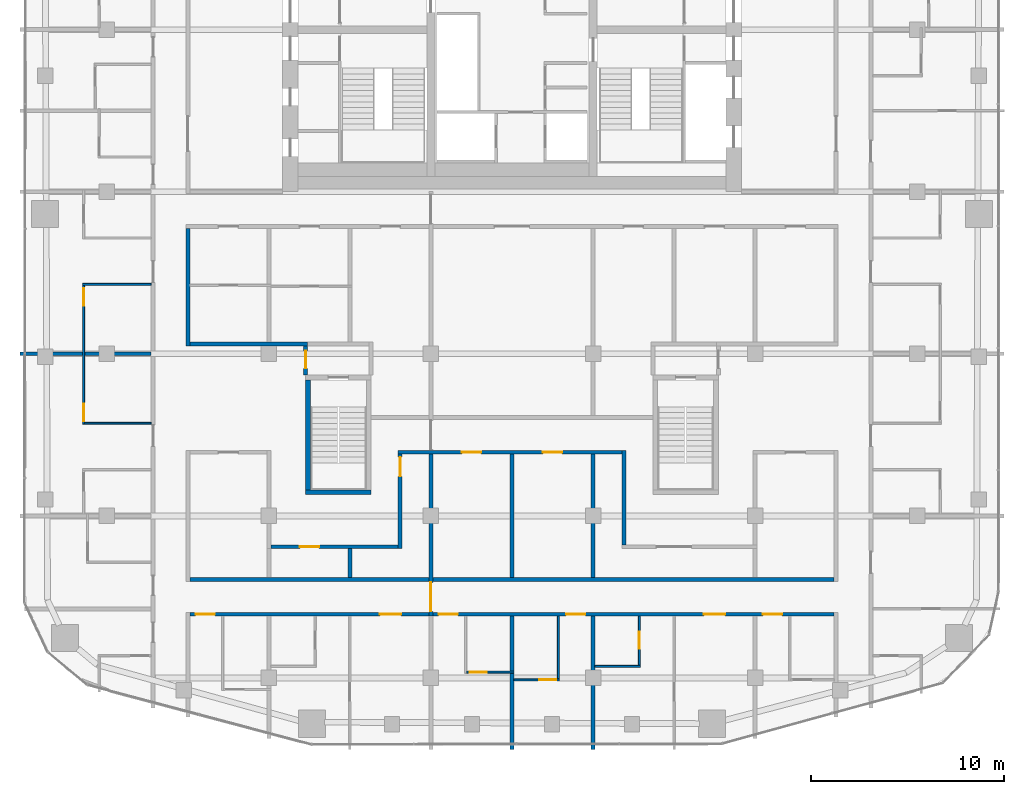
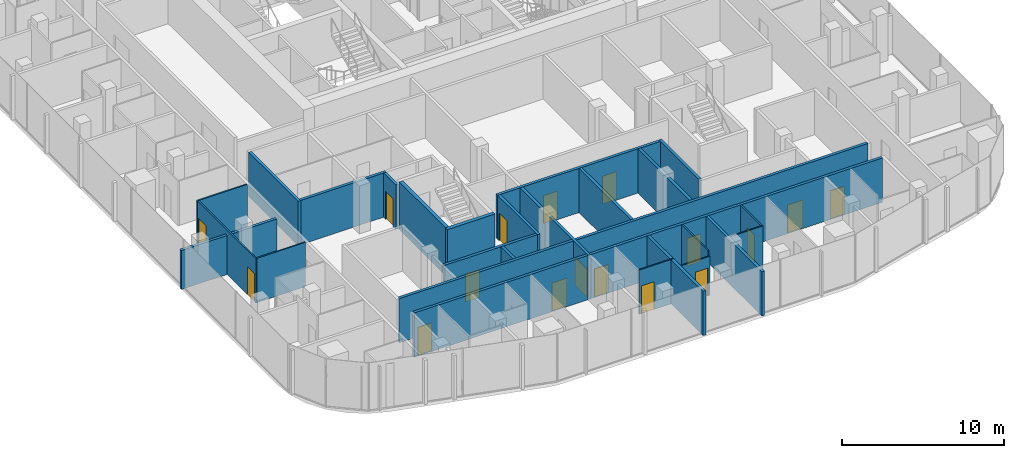
# One storey, part 14 of 22: 26 walls, 17 doors, 17 openings.
"""IFC4 building model written with IfcOpenShell, lengths in metres."""

from ifc_helpers import new_model, si_unit, direction, frame, frame_2d, origin, place, context, subcontext, project, spatial, rectangle, extrude, material, layer, layer_set, type_object, element, fill, save


model = new_model("IFC4")

# Units and contexts
model_context = context("Model", 3, precision=1e-05, world=origin(), true_north=direction((0.0, 1.0)))
body_context = subcontext(model_context, "Body", "Model", "MODEL_VIEW")
ifc_project = project(units=[si_unit("LENGTHUNIT", "METRE"), si_unit("AREAUNIT", "SQUARE_METRE"), si_unit("VOLUMEUNIT", "CUBIC_METRE"), si_unit("PLANEANGLEUNIT", "RADIAN"), si_unit("MASSUNIT", "GRAM", prefix="KILO")], contexts=[model_context])

# Site, building, storey
site_placement = place(None, origin())
site = spatial("IfcSite", under=ifc_project, at=site_placement, CompositionType="ELEMENT")
building_placement = place(site_placement, origin())
building = spatial("IfcBuilding", under=site, at=building_placement, Name="Marenta Gate Hotel Tower", CompositionType="ELEMENT")
storey_placement = place(building_placement, frame((0.0, 0.0, 238.10009765625)))
storey = spatial("IfcBuildingStorey", under=building, at=storey_placement, Name="L56", CompositionType="ELEMENT", Elevation=238.10009765625)

# Wall, opening, door
ifc_material_1 = material(Name="Concrete blockwork", Category="masonry")
ifc_layer_1 = layer(ifc_material_1, 0.199951171875)
ifc_layer_set_1 = layer_set([ifc_layer_1], Name="Concrete blockwork")
wall_type_1 = type_object("IfcWallType", Name="Compartment wall 200 REI 180", PredefinedType="PARTITIONING", material=ifc_layer_set_1)
wall_1_placement = place(storey_placement, frame((-4.199951171875, -22.0, 0.0), z_axis=(0.0, 0.0, 1.0), x_axis=(0.0, 1.0, 0.0)))
wall_1 = element("IfcWall", 1, at=wall_1_placement, inside=storey, type_object=wall_type_1, Name="L56-PTN-W079", PredefinedType="PARTITIONING", context=body_context, shape_type="SweptSolid", body=[
    extrude(rectangle(XDim=8.39990234375, YDim=0.199951171875, at=frame_2d((4.199951171875, 0.0))), origin(), (0.0, 0.0, 1.0), 3.33984375),
])
opening_1_placement = place(wall_1_placement, frame((0.25, 0.0, 0.0)))
opening_1 = element("IfcOpeningElement", 2, at=opening_1_placement, cuts=wall_1, Name="Opening G20-FD4", PredefinedType="OPENING", context=body_context, shape_type="SweptSolid", body=[
    extrude(rectangle(XDim=1.5, YDim=2.10009765625, at=frame_2d((0.75, 1.050048828125))), frame((0.0, 0.10009765625, 0.0), z_axis=(0.0, -1.0, 0.0), x_axis=(1.0, 0.0, 0.0)), (0.0, 0.0, 1.0), 0.199951171875),
])
ifc_material_2 = material(Name="Hollow steel door set", Category="steel")
door_type_1 = type_object("IfcDoorType", Name="Compartment fire door 1500x2100 EI 60", OperationType="DOUBLE_DOOR_DOUBLE_SWING", PredefinedType="DOOR", material=ifc_material_2)
door_1_placement = place(opening_1_placement, origin())
door_1 = element("IfcDoor", 3, at=door_1_placement, inside=storey, type_object=door_type_1, Name="L56-PD-FD04", OperationType="DOUBLE_DOOR_DOUBLE_SWING", OverallHeight=2.10009765625, OverallWidth=1.5, PredefinedType="DOOR", context=body_context, shape_type="SweptSolid", body=[
    extrude(rectangle(XDim=1.5, YDim=2.10009765625, at=frame_2d((0.75, 1.050048828125))), frame((0.0, 0.02490234375, 0.0), z_axis=(0.0, -1.0, 0.0), x_axis=(1.0, 0.0, 0.0)), (0.0, 0.0, 1.0), 0.050048828125),
])
fill(opening_1, door_1)

# Walls
ifc_material_3 = material(Name="Concrete C40", Category="concrete")
ifc_layer_2 = layer(ifc_material_3, 0.25)
ifc_layer_set_2 = layer_set([ifc_layer_2], Name="Concrete C40")
wall_type_2 = type_object("IfcWallType", Name="Remote stair enclosure wall 250 REI 180", PredefinedType="SHEAR", material=ifc_layer_set_2)
wall_2_placement = place(storey_placement, frame((-10.699951171875, -15.574951171875, 0.099853515625), z_axis=(0.0, 0.0, 1.0), x_axis=(1.0, 0.0, 0.0)))
element("IfcWall", 4, at=wall_2_placement, inside=storey, type_object=wall_type_2, Name="L56-RS-Z3-1-W1", PredefinedType="SHEAR", context=body_context, shape_type="SweptSolid", body=[
    extrude(rectangle(XDim=3.39990234375, YDim=0.25, at=frame_2d((1.699951171875, 0.0))), origin(), (0.0, 0.0, 1.0), 3.60009765625),
])
wall_3_placement = place(storey_placement, frame((-10.574951171875, -15.449951171875, 0.099853515625), z_axis=(0.0, 0.0, 1.0), x_axis=(0.0, 1.0, 0.0)))
element("IfcWall", 5, at=wall_3_placement, inside=storey, type_object=wall_type_2, Name="L56-RS-Z3-1-W3", PredefinedType="SHEAR", context=body_context, shape_type="SweptSolid", body=[
    extrude(rectangle(XDim=5.699951171875, YDim=0.25, at=frame_2d((2.85009765625, 0.0))), origin(), (0.0, 0.0, 1.0), 3.60009765625),
])
ifc_material_4 = material(Name="Concrete blockwork", Category="masonry")
ifc_layer_3 = layer(ifc_material_4, 0.199951171875)
ifc_layer_set_3 = layer_set([ifc_layer_3], Name="Concrete blockwork")
wall_type_3 = type_object("IfcWallType", Name="Room corridor wall 200 EI 120", PredefinedType="PARTITIONING", material=ifc_layer_set_3)
wall_4_placement = place(storey_placement, frame((-16.699951171875, -7.89990234375, 0.0), z_axis=(0.0, 0.0, 1.0), x_axis=(1.0, 0.0, 0.0)))
element("IfcWall", 6, at=wall_4_placement, inside=storey, type_object=wall_type_3, Name="L56-PTN-W052", PredefinedType="PARTITIONING", context=body_context, shape_type="SweptSolid", body=[
    extrude(rectangle(XDim=6.099853515625, YDim=0.199951171875, at=frame_2d((3.0498046875, 0.0))), origin(), (0.0, 0.0, 1.0), 3.33984375),
])

# Wall, openings, doors
ifc_material_5 = material(Name="Gypsum board on steel stud", Category="steel")
ifc_layer_4 = layer(ifc_material_5, 0.199951171875)
ifc_layer_set_4 = layer_set([ifc_layer_4], Name="Gypsum board on steel stud")
wall_type_4 = type_object("IfcWallType", Name="Room corridor wall 200 EI 60", PredefinedType="PARTITIONING", material=ifc_layer_set_4)
wall_5_placement = place(storey_placement, frame((-16.699951171875, -21.89990234375, 0.0), z_axis=(0.0, 0.0, 1.0), x_axis=(1.0, 0.0, 0.0)))
wall_5 = element("IfcWall", 7, at=wall_5_placement, inside=storey, type_object=wall_type_4, Name="L56-PTN-W015", PredefinedType="PARTITIONING", context=body_context, shape_type="SweptSolid", body=[
    extrude(rectangle(XDim=33.39990234375, YDim=0.199951171875, at=frame_2d((16.699951171875, 0.0))), origin(), (0.0, 0.0, 1.0), 3.33984375),
])
opening_2_placement = place(wall_5_placement, frame((0.300048828125, 0.0, 0.0)))
opening_2 = element("IfcOpeningElement", 8, at=opening_2_placement, cuts=wall_5, Name="Opening G20-38", PredefinedType="OPENING", context=body_context, shape_type="SweptSolid", body=[
    extrude(rectangle(XDim=1.0, YDim=2.10009765625, at=frame_2d((0.5, 1.050048828125))), frame((0.0, 0.10009765625, 0.0), z_axis=(0.0, -1.0, 0.0), x_axis=(1.0, 0.0, 0.0)), (0.0, 0.0, 1.0), 0.199951171875),
])
opening_3_placement = place(wall_5_placement, frame((9.85009765625, 0.0, 0.0)))
opening_3 = element("IfcOpeningElement", 9, at=opening_3_placement, cuts=wall_5, Name="Opening G20-40", PredefinedType="OPENING", context=body_context, shape_type="SweptSolid", body=[
    extrude(rectangle(XDim=1.10009765625, YDim=2.10009765625, at=frame_2d((0.550048828125, 1.050048828125))), frame((0.0, 0.10009765625, 0.0), z_axis=(0.0, -1.0, 0.0), x_axis=(1.0, 0.0, 0.0)), (0.0, 0.0, 1.0), 0.199951171875),
])
opening_4_placement = place(wall_5_placement, frame((12.89990234375, 0.0, 0.0)))
opening_4 = element("IfcOpeningElement", 10, at=opening_4_placement, cuts=wall_5, Name="Opening G20-43", PredefinedType="OPENING", context=body_context, shape_type="SweptSolid", body=[
    extrude(rectangle(XDim=1.0, YDim=2.10009765625, at=frame_2d((0.5, 1.050048828125))), frame((0.0, 0.10009765625, 0.0), z_axis=(0.0, -1.0, 0.0), x_axis=(1.0, 0.0, 0.0)), (0.0, 0.0, 1.0), 0.199951171875),
])
opening_5_placement = place(wall_5_placement, frame((19.5, 0.0, 0.0)))
opening_5 = element("IfcOpeningElement", 11, at=opening_5_placement, cuts=wall_5, Name="Opening G20-45", PredefinedType="OPENING", context=body_context, shape_type="SweptSolid", body=[
    extrude(rectangle(XDim=1.0, YDim=2.10009765625, at=frame_2d((0.5, 1.050048828125))), frame((0.0, 0.10009765625, 0.0), z_axis=(0.0, -1.0, 0.0), x_axis=(1.0, 0.0, 0.0)), (0.0, 0.0, 1.0), 0.199951171875),
])
opening_6_placement = place(wall_5_placement, frame((26.64990234375, 0.0, 0.0)))
opening_6 = element("IfcOpeningElement", 12, at=opening_6_placement, cuts=wall_5, Name="Opening G20-47", PredefinedType="OPENING", context=body_context, shape_type="SweptSolid", body=[
    extrude(rectangle(XDim=1.10009765625, YDim=2.10009765625, at=frame_2d((0.550048828125, 1.050048828125))), frame((0.0, 0.10009765625, 0.0), z_axis=(0.0, -1.0, 0.0), x_axis=(1.0, 0.0, 0.0)), (0.0, 0.0, 1.0), 0.199951171875),
])
opening_7_placement = place(wall_5_placement, frame((29.699951171875, 0.0, 0.0)))
opening_7 = element("IfcOpeningElement", 13, at=opening_7_placement, cuts=wall_5, Name="Opening G20-50", PredefinedType="OPENING", context=body_context, shape_type="SweptSolid", body=[
    extrude(rectangle(XDim=1.0, YDim=2.10009765625, at=frame_2d((0.5, 1.050048828125))), frame((0.0, 0.10009765625, 0.0), z_axis=(0.0, -1.0, 0.0), x_axis=(1.0, 0.0, 0.0)), (0.0, 0.0, 1.0), 0.199951171875),
])
ifc_material_6 = material(Name="Timber door leaf", Category="wood")
door_type_2 = type_object("IfcDoorType", Name="Guest room door 1000x2100 EI 30", OperationType="NOTDEFINED", PredefinedType="DOOR", material=ifc_material_6)
door_2_placement = place(opening_2_placement, origin())
door_2 = element("IfcDoor", 14, at=door_2_placement, inside=storey, type_object=door_type_2, Name="L56-PD-D038", OperationType="SINGLE_SWING_RIGHT", OverallHeight=2.10009765625, OverallWidth=1.0, PredefinedType="DOOR", context=body_context, shape_type="SweptSolid", body=[
    extrude(rectangle(XDim=1.0, YDim=2.10009765625, at=frame_2d((0.5, 1.050048828125))), frame((0.0, 0.02490234375, 0.0), z_axis=(0.0, -1.0, 0.0), x_axis=(1.0, 0.0, 0.0)), (0.0, 0.0, 1.0), 0.050048828125),
])
fill(opening_2, door_2)
door_3_placement = place(opening_4_placement, origin())
door_3 = element("IfcDoor", 15, at=door_3_placement, inside=storey, type_object=door_type_2, Name="L56-PD-D043", OperationType="SINGLE_SWING_LEFT", OverallHeight=2.10009765625, OverallWidth=1.0, PredefinedType="DOOR", context=body_context, shape_type="SweptSolid", body=[
    extrude(rectangle(XDim=1.0, YDim=2.10009765625, at=frame_2d((0.5, 1.050048828125))), frame((0.0, 0.02490234375, 0.0), z_axis=(0.0, -1.0, 0.0), x_axis=(1.0, 0.0, 0.0)), (0.0, 0.0, 1.0), 0.050048828125),
])
fill(opening_4, door_3)
door_4_placement = place(opening_5_placement, origin())
door_4 = element("IfcDoor", 16, at=door_4_placement, inside=storey, type_object=door_type_2, Name="L56-PD-D045", OperationType="SINGLE_SWING_LEFT", OverallHeight=2.10009765625, OverallWidth=1.0, PredefinedType="DOOR", context=body_context, shape_type="SweptSolid", body=[
    extrude(rectangle(XDim=1.0, YDim=2.10009765625, at=frame_2d((0.5, 1.050048828125))), frame((0.0, 0.02490234375, 0.0), z_axis=(0.0, -1.0, 0.0), x_axis=(1.0, 0.0, 0.0)), (0.0, 0.0, 1.0), 0.050048828125),
])
fill(opening_5, door_4)
door_5_placement = place(opening_7_placement, origin())
door_5 = element("IfcDoor", 17, at=door_5_placement, inside=storey, type_object=door_type_2, Name="L56-PD-D050", OperationType="SINGLE_SWING_RIGHT", OverallHeight=2.10009765625, OverallWidth=1.0, PredefinedType="DOOR", context=body_context, shape_type="SweptSolid", body=[
    extrude(rectangle(XDim=1.0, YDim=2.10009765625, at=frame_2d((0.5, 1.050048828125))), frame((0.0, 0.02490234375, 0.0), z_axis=(0.0, -1.0, 0.0), x_axis=(1.0, 0.0, 0.0)), (0.0, 0.0, 1.0), 0.050048828125),
])
fill(opening_7, door_5)
ifc_material_7 = material(Name="Timber door leaf", Category="wood")
door_type_3 = type_object("IfcDoorType", Name="Guest room door 1100x2100 EI 30", OperationType="NOTDEFINED", PredefinedType="DOOR", material=ifc_material_7)
door_6_placement = place(opening_3_placement, origin())
door_6 = element("IfcDoor", 18, at=door_6_placement, inside=storey, type_object=door_type_3, Name="L56-PD-D040", OperationType="SINGLE_SWING_RIGHT", OverallHeight=2.10009765625, OverallWidth=1.10009765625, PredefinedType="DOOR", context=body_context, shape_type="SweptSolid", body=[
    extrude(rectangle(XDim=1.10009765625, YDim=2.10009765625, at=frame_2d((0.550048828125, 1.050048828125))), frame((0.0, 0.02490234375, 0.0), z_axis=(0.0, -1.0, 0.0), x_axis=(1.0, 0.0, 0.0)), (0.0, 0.0, 1.0), 0.050048828125),
])
fill(opening_3, door_6)
door_7_placement = place(opening_6_placement, origin())
door_7 = element("IfcDoor", 19, at=door_7_placement, inside=storey, type_object=door_type_3, Name="L56-PD-D047", OperationType="SINGLE_SWING_LEFT", OverallHeight=2.10009765625, OverallWidth=1.10009765625, PredefinedType="DOOR", context=body_context, shape_type="SweptSolid", body=[
    extrude(rectangle(XDim=1.10009765625, YDim=2.10009765625, at=frame_2d((0.550048828125, 1.050048828125))), frame((0.0, 0.02490234375, 0.0), z_axis=(0.0, -1.0, 0.0), x_axis=(1.0, 0.0, 0.0)), (0.0, 0.0, 1.0), 0.050048828125),
])
fill(opening_6, door_7)

# Wall
wall_6_placement = place(storey_placement, frame((-16.699951171875, -20.10009765625, 0.0), z_axis=(0.0, 0.0, 1.0), x_axis=(1.0, 0.0, 0.0)))
element("IfcWall", 20, at=wall_6_placement, inside=storey, type_object=wall_type_4, Name="L56-PTN-W021", PredefinedType="PARTITIONING", context=body_context, shape_type="SweptSolid", body=[
    extrude(rectangle(XDim=33.39990234375, YDim=0.199951171875, at=frame_2d((16.699951171875, 0.0))), origin(), (0.0, 0.0, 1.0), 3.33984375),
])

# Wall, opening, door
wall_7_placement = place(storey_placement, frame((-12.5, -18.39990234375, 0.0), z_axis=(0.0, 0.0, 1.0), x_axis=(1.0, 0.0, 0.0)))
wall_7 = element("IfcWall", 21, at=wall_7_placement, inside=storey, type_object=wall_type_4, Name="L56-PTN-W024", PredefinedType="PARTITIONING", context=body_context, shape_type="SweptSolid", body=[
    extrude(rectangle(XDim=6.60009765625, YDim=0.199951171875, at=frame_2d((3.300048828125, 0.0))), origin(), (0.0, 0.0, 1.0), 3.33984375),
])
opening_8_placement = place(wall_7_placement, frame((1.5, 0.0, 0.0)))
opening_8 = element("IfcOpeningElement", 22, at=opening_8_placement, cuts=wall_7, Name="Opening G20-11", PredefinedType="OPENING", context=body_context, shape_type="SweptSolid", body=[
    extrude(rectangle(XDim=1.0, YDim=2.10009765625, at=frame_2d((0.5, 1.050048828125))), frame((0.0, 0.10009765625, 0.0), z_axis=(0.0, -1.0, 0.0), x_axis=(1.0, 0.0, 0.0)), (0.0, 0.0, 1.0), 0.199951171875),
])
ifc_material_8 = material(Name="Timber door leaf", Category="wood")
door_type_4 = type_object("IfcDoorType", Name="Room amenity door 1000x2100 EI 30", OperationType="NOTDEFINED", PredefinedType="DOOR", material=ifc_material_8)
door_8_placement = place(opening_8_placement, origin())
door_8 = element("IfcDoor", 23, at=door_8_placement, inside=storey, type_object=door_type_4, Name="L56-PD-D011", OperationType="SINGLE_SWING_RIGHT", OverallHeight=2.10009765625, OverallWidth=1.0, PredefinedType="DOOR", context=body_context, shape_type="SweptSolid", body=[
    extrude(rectangle(XDim=1.0, YDim=2.10009765625, at=frame_2d((0.5, 1.050048828125))), frame((0.0, 0.02490234375, 0.0), z_axis=(0.0, -1.0, 0.0), x_axis=(1.0, 0.0, 0.0)), (0.0, 0.0, 1.0), 0.050048828125),
])
fill(opening_8, door_8)

# Wall, openings, doors
wall_8_placement = place(storey_placement, frame((-5.89990234375, -13.5, 0.0), z_axis=(0.0, 0.0, 1.0), x_axis=(1.0, 0.0, 0.0)))
wall_8 = element("IfcWall", 24, at=wall_8_placement, inside=storey, type_object=wall_type_4, Name="L56-PTN-W036", PredefinedType="PARTITIONING", context=body_context, shape_type="SweptSolid", body=[
    extrude(rectangle(XDim=11.599853515625, YDim=0.199951171875, at=frame_2d((5.7998046875, 0.0))), origin(), (0.0, 0.0, 1.0), 3.33984375),
])
opening_9_placement = place(wall_8_placement, frame((3.300048828125, 0.0, 0.0)))
opening_9 = element("IfcOpeningElement", 25, at=opening_9_placement, cuts=wall_8, Name="Opening G20-13", PredefinedType="OPENING", context=body_context, shape_type="SweptSolid", body=[
    extrude(rectangle(XDim=1.0, YDim=2.10009765625, at=frame_2d((0.5, 1.050048828125))), frame((0.0, 0.10009765625, 0.0), z_axis=(0.0, -1.0, 0.0), x_axis=(1.0, 0.0, 0.0)), (0.0, 0.0, 1.0), 0.199951171875),
])
opening_10_placement = place(wall_8_placement, frame((7.5, 0.0, 0.0)))
opening_10 = element("IfcOpeningElement", 26, at=opening_10_placement, cuts=wall_8, Name="Opening G20-14", PredefinedType="OPENING", context=body_context, shape_type="SweptSolid", body=[
    extrude(rectangle(XDim=1.0, YDim=2.10009765625, at=frame_2d((0.5, 1.050048828125))), frame((0.0, 0.10009765625, 0.0), z_axis=(0.0, -1.0, 0.0), x_axis=(1.0, 0.0, 0.0)), (0.0, 0.0, 1.0), 0.199951171875),
])
door_9_placement = place(opening_9_placement, origin())
door_9 = element("IfcDoor", 27, at=door_9_placement, inside=storey, type_object=door_type_4, Name="L56-PD-D013", OperationType="SINGLE_SWING_LEFT", OverallHeight=2.10009765625, OverallWidth=1.0, PredefinedType="DOOR", context=body_context, shape_type="SweptSolid", body=[
    extrude(rectangle(XDim=1.0, YDim=2.10009765625, at=frame_2d((0.5, 1.050048828125))), frame((0.0, 0.02490234375, 0.0), z_axis=(0.0, -1.0, 0.0), x_axis=(1.0, 0.0, 0.0)), (0.0, 0.0, 1.0), 0.050048828125),
])
fill(opening_9, door_9)
door_10_placement = place(opening_10_placement, origin())
door_10 = element("IfcDoor", 28, at=door_10_placement, inside=storey, type_object=door_type_4, Name="L56-PD-D014", OperationType="SINGLE_SWING_RIGHT", OverallHeight=2.10009765625, OverallWidth=1.0, PredefinedType="DOOR", context=body_context, shape_type="SweptSolid", body=[
    extrude(rectangle(XDim=1.0, YDim=2.10009765625, at=frame_2d((0.5, 1.050048828125))), frame((0.0, 0.02490234375, 0.0), z_axis=(0.0, -1.0, 0.0), x_axis=(1.0, 0.0, 0.0)), (0.0, 0.0, 1.0), 0.050048828125),
])
fill(opening_10, door_10)

# Wall
wall_9_placement = place(storey_placement, frame((5.800048828125, -18.300048828125, 0.0), z_axis=(0.0, 0.0, 1.0), x_axis=(0.0, 1.0, 0.0)))
element("IfcWall", 29, at=wall_9_placement, inside=storey, type_object=wall_type_4, Name="L56-PTN-W058", PredefinedType="PARTITIONING", context=body_context, shape_type="SweptSolid", body=[
    extrude(rectangle(XDim=4.900146484375, YDim=0.199951171875, at=frame_2d((2.4501953125, 0.0))), origin(), (0.0, 0.0, 1.0), 3.33984375),
])

# Wall, opening, door
wall_10_placement = place(storey_placement, frame((-5.800048828125, -18.5, 0.0), z_axis=(0.0, 0.0, 1.0), x_axis=(0.0, 1.0, 0.0)))
wall_10 = element("IfcWall", 30, at=wall_10_placement, inside=storey, type_object=wall_type_4, Name="L56-PTN-W084", PredefinedType="PARTITIONING", context=body_context, shape_type="SweptSolid", body=[
    extrude(rectangle(XDim=4.89990234375, YDim=0.199951171875, at=frame_2d((2.449951171875, 0.0))), origin(), (0.0, 0.0, 1.0), 3.33984375),
])
opening_11_placement = place(wall_10_placement, frame((3.75, 0.0, 0.0)))
opening_11 = element("IfcOpeningElement", 31, at=opening_11_placement, cuts=wall_10, Name="Opening G20-12", PredefinedType="OPENING", context=body_context, shape_type="SweptSolid", body=[
    extrude(rectangle(XDim=1.0, YDim=2.10009765625, at=frame_2d((0.5, 1.050048828125))), frame((0.0, 0.10009765625, 0.0), z_axis=(0.0, -1.0, 0.0), x_axis=(1.0, 0.0, 0.0)), (0.0, 0.0, 1.0), 0.199951171875),
])
door_11_placement = place(opening_11_placement, origin())
door_11 = element("IfcDoor", 32, at=door_11_placement, inside=storey, type_object=door_type_4, Name="L56-PD-D012", OperationType="SINGLE_SWING_RIGHT", OverallHeight=2.10009765625, OverallWidth=1.0, PredefinedType="DOOR", context=body_context, shape_type="SweptSolid", body=[
    extrude(rectangle(XDim=1.0, YDim=2.10009765625, at=frame_2d((0.5, 1.050048828125))), frame((0.0, 0.02490234375, 0.0), z_axis=(0.0, -1.0, 0.0), x_axis=(1.0, 0.0, 0.0)), (0.0, 0.0, 1.0), 0.050048828125),
])
fill(opening_11, door_11)

# Wall
wall_11_placement = place(storey_placement, frame((-16.800048828125, -8.0, 0.0), z_axis=(0.0, 0.0, 1.0), x_axis=(0.0, 1.0, 0.0)))
element("IfcWall", 33, at=wall_11_placement, inside=storey, type_object=wall_type_4, Name="L56-PTN-W109", PredefinedType="PARTITIONING", context=body_context, shape_type="SweptSolid", body=[
    extrude(rectangle(XDim=6.10009765625, YDim=0.199951171875, at=frame_2d((3.050048828125, 0.0))), origin(), (0.0, 0.0, 1.0), 3.33984375),
])

# Wall, opening, door
ifc_material_9 = material(Name="Concrete blockwork", Category="masonry")
ifc_layer_5 = layer(ifc_material_9, 0.199951171875)
ifc_layer_set_5 = layer_set([ifc_layer_5], Name="Concrete blockwork")
wall_type_5 = type_object("IfcWallType", Name="Room corridor wall 200 REI 180", PredefinedType="PARTITIONING", material=ifc_layer_set_5)
wall_12_placement = place(storey_placement, frame((-10.699951171875, -9.5, 0.0), z_axis=(0.0, 0.0, 1.0), x_axis=(0.0, 1.0, 0.0)))
wall_12 = element("IfcWall", 34, at=wall_12_placement, inside=storey, type_object=wall_type_5, Name="L56-PTN-W094", PredefinedType="PARTITIONING", context=body_context, shape_type="SweptSolid", body=[
    extrude(rectangle(XDim=1.5, YDim=0.199951171875, at=frame_2d((0.75, 0.0))), origin(), (0.0, 0.0, 1.0), 3.33984375),
])
opening_12_placement = place(wall_12_placement, frame((0.35009765625, 0.0, 0.0)))
opening_12 = element("IfcOpeningElement", 35, at=opening_12_placement, cuts=wall_12, Name="Opening G20-72", PredefinedType="OPENING", context=body_context, shape_type="SweptSolid", body=[
    extrude(rectangle(XDim=0.89990234375, YDim=2.10009765625, at=frame_2d((0.449951171875, 1.050048828125))), frame((0.0, 0.10009765625, 0.0), z_axis=(0.0, -1.0, 0.0), x_axis=(1.0, 0.0, 0.0)), (0.0, 0.0, 1.0), 0.199951171875),
])
ifc_material_10 = material(Name="Hollow steel door set", Category="steel")
door_type_5 = type_object("IfcDoorType", Name="Stair vestibule door 900x2100 EI 60", OperationType="NOTDEFINED", PredefinedType="DOOR", material=ifc_material_10)
door_12_placement = place(opening_12_placement, origin())
door_12 = element("IfcDoor", 36, at=door_12_placement, inside=storey, type_object=door_type_5, Name="L56-PD-D072", OperationType="SINGLE_SWING_LEFT", OverallHeight=2.10009765625, OverallWidth=0.89990234375, PredefinedType="DOOR", context=body_context, shape_type="SweptSolid", body=[
    extrude(rectangle(XDim=0.89990234375, YDim=2.10009765625, at=frame_2d((0.449951171875, 1.050048828125))), frame((0.0, 0.02490234375, 0.0), z_axis=(0.0, -1.0, 0.0), x_axis=(1.0, 0.0, 0.0)), (0.0, 0.0, 1.0), 0.050048828125),
])
fill(opening_12, door_12)

ifc_material_11 = material(Name="Gypsum board on steel stud", Category="steel")
ifc_layer_6 = layer(ifc_material_11, 0.10009765625)
ifc_layer_set_6 = layer_set([ifc_layer_6], Name="Gypsum board on steel stud")
wall_type_6 = type_object("IfcWallType", Name="Room partition 100", PredefinedType="PARTITIONING", material=ifc_layer_set_6)
wall_13_placement = place(storey_placement, frame((0.10009765625, -25.300048828125, 0.0), z_axis=(0.0, 0.0, 1.0), x_axis=(1.0, 0.0, 0.0)))
wall_13 = element("IfcWall", 37, at=wall_13_placement, inside=storey, type_object=wall_type_6, Name="L56-PTN-W003", PredefinedType="PARTITIONING", context=body_context, shape_type="SweptSolid", body=[
    extrude(rectangle(XDim=2.349853515625, YDim=0.10009765625, at=frame_2d((1.1748046875, 0.0))), origin(), (0.0, 0.0, 1.0), 2.93994140625),
])
opening_13_placement = place(wall_13_placement, frame((1.300048828125, 0.0, 0.0)))
opening_13 = element("IfcOpeningElement", 38, at=opening_13_placement, cuts=wall_13, Name="Opening G20-46", PredefinedType="OPENING", context=body_context, shape_type="SweptSolid", body=[
    extrude(rectangle(XDim=0.89990234375, YDim=2.10009765625, at=frame_2d((0.449951171875, 1.050048828125))), frame((0.0, 0.050048828125, 0.0), z_axis=(0.0, -1.0, 0.0), x_axis=(1.0, 0.0, 0.0)), (0.0, 0.0, 1.0), 0.10009765625),
])
ifc_material_12 = material(Name="Timber door leaf", Category="wood")
door_type_6 = type_object("IfcDoorType", Name="Guest bathroom door 900x2100", OperationType="NOTDEFINED", PredefinedType="DOOR", material=ifc_material_12)
door_13_placement = place(opening_13_placement, origin())
door_13 = element("IfcDoor", 39, at=door_13_placement, inside=storey, type_object=door_type_6, Name="L56-PD-D046", OperationType="SINGLE_SWING_RIGHT", OverallHeight=2.10009765625, OverallWidth=0.89990234375, PredefinedType="DOOR", context=body_context, shape_type="SweptSolid", body=[
    extrude(rectangle(XDim=0.89990234375, YDim=2.10009765625, at=frame_2d((0.449951171875, 1.050048828125))), frame((0.0, 0.02490234375, 0.0), z_axis=(0.0, -1.0, 0.0), x_axis=(1.0, 0.0, 0.0)), (0.0, 0.0, 1.0), 0.050048828125),
])
fill(opening_13, door_13)

wall_14_placement = place(storey_placement, frame((-2.35009765625, -24.89990234375, 0.0), z_axis=(0.0, 0.0, 1.0), x_axis=(1.0, 0.0, 0.0)))
wall_14 = element("IfcWall", 40, at=wall_14_placement, inside=storey, type_object=wall_type_6, Name="L56-PTN-W005", PredefinedType="PARTITIONING", context=body_context, shape_type="SweptSolid", body=[
    extrude(rectangle(XDim=2.4501953125, YDim=0.10009765625, at=frame_2d((1.22509765625, 0.0))), origin(), (0.0, 0.0, 1.0), 3.33984375),
])
opening_14_placement = place(wall_14_placement, frame((0.14990234375, 0.0, 0.0)))
opening_14 = element("IfcOpeningElement", 41, at=opening_14_placement, cuts=wall_14, Name="Opening G20-44", PredefinedType="OPENING", context=body_context, shape_type="SweptSolid", body=[
    extrude(rectangle(XDim=0.89990234375, YDim=2.10009765625, at=frame_2d((0.449951171875, 1.050048828125))), frame((0.0, 0.050048828125, 0.0), z_axis=(0.0, -1.0, 0.0), x_axis=(1.0, 0.0, 0.0)), (0.0, 0.0, 1.0), 0.10009765625),
])
door_14_placement = place(opening_14_placement, origin())
door_14 = element("IfcDoor", 42, at=door_14_placement, inside=storey, type_object=door_type_6, Name="L56-PD-D044", OperationType="SINGLE_SWING_LEFT", OverallHeight=2.10009765625, OverallWidth=0.89990234375, PredefinedType="DOOR", context=body_context, shape_type="SweptSolid", body=[
    extrude(rectangle(XDim=0.89990234375, YDim=2.10009765625, at=frame_2d((0.449951171875, 1.050048828125))), frame((0.0, 0.02490234375, 0.0), z_axis=(0.0, -1.0, 0.0), x_axis=(1.0, 0.0, 0.0)), (0.0, 0.0, 1.0), 0.050048828125),
])
fill(opening_14, door_14)

# Walls
wall_15_placement = place(storey_placement, frame((4.300048828125, -24.60009765625, 0.0), z_axis=(0.0, 0.0, 1.0), x_axis=(1.0, 0.0, 0.0)))
element("IfcWall", 43, at=wall_15_placement, inside=storey, type_object=wall_type_6, Name="L56-PTN-W007", PredefinedType="PARTITIONING", context=body_context, shape_type="SweptSolid", body=[
    extrude(rectangle(XDim=2.349853515625, YDim=0.10009765625, at=frame_2d((1.1748046875, 0.0))), origin(), (0.0, 0.0, 1.0), 3.33984375),
])
wall_16_placement = place(storey_placement, frame((-22.14990234375, -12.0, 0.0), z_axis=(0.0, 0.0, 1.0), x_axis=(1.0, 0.0, 0.0)))
element("IfcWall", 44, at=wall_16_placement, inside=storey, type_object=wall_type_6, Name="L56-PTN-W043", PredefinedType="PARTITIONING", context=body_context, shape_type="SweptSolid", body=[
    extrude(rectangle(XDim=3.449951171875, YDim=0.10009765625, at=frame_2d((1.72509765625, 0.0))), origin(), (0.0, 0.0, 1.0), 3.33984375),
])

# Wall, opening, door
wall_17_placement = place(storey_placement, frame((6.60009765625, -24.550048828125, 0.0), z_axis=(0.0, 0.0, 1.0), x_axis=(0.0, 1.0, 0.0)))
wall_17 = element("IfcWall", 45, at=wall_17_placement, inside=storey, type_object=wall_type_6, Name="L56-PTN-W057", PredefinedType="PARTITIONING", context=body_context, shape_type="SweptSolid", body=[
    extrude(rectangle(XDim=2.550048828125, YDim=0.10009765625, at=frame_2d((1.27490234375, 0.0))), origin(), (0.0, 0.0, 1.0), 3.33984375),
])
opening_15_placement = place(wall_17_placement, frame((0.85009765625, 0.0, 0.0)))
opening_15 = element("IfcOpeningElement", 46, at=opening_15_placement, cuts=wall_17, Name="Opening G20-49", PredefinedType="OPENING", context=body_context, shape_type="SweptSolid", body=[
    extrude(rectangle(XDim=0.89990234375, YDim=2.10009765625, at=frame_2d((0.449951171875, 1.050048828125))), frame((0.0, 0.050048828125, 0.0), z_axis=(0.0, -1.0, 0.0), x_axis=(1.0, 0.0, 0.0)), (0.0, 0.0, 1.0), 0.10009765625),
])
door_15_placement = place(opening_15_placement, origin())
door_15 = element("IfcDoor", 47, at=door_15_placement, inside=storey, type_object=door_type_6, Name="L56-PD-D049", OperationType="SINGLE_SWING_RIGHT", OverallHeight=2.10009765625, OverallWidth=0.89990234375, PredefinedType="DOOR", context=body_context, shape_type="SweptSolid", body=[
    extrude(rectangle(XDim=0.89990234375, YDim=2.10009765625, at=frame_2d((0.449951171875, 1.050048828125))), frame((0.0, 0.02490234375, 0.0), z_axis=(0.0, -1.0, 0.0), x_axis=(1.0, 0.0, 0.0)), (0.0, 0.0, 1.0), 0.050048828125),
])
fill(opening_15, door_15)

# Walls
wall_18_placement = place(storey_placement, frame((-22.25, -4.800048828125, 0.0), z_axis=(0.0, 0.0, 1.0), x_axis=(1.0, 0.0, 0.0)))
element("IfcWall", 48, at=wall_18_placement, inside=storey, type_object=wall_type_6, Name="L56-PTN-W061", PredefinedType="PARTITIONING", context=body_context, shape_type="SweptSolid", body=[
    extrude(rectangle(XDim=3.550048828125, YDim=0.10009765625, at=frame_2d((1.77490234375, 0.0))), origin(), (0.0, 0.0, 1.0), 3.33984375),
])
wall_19_placement = place(storey_placement, frame((2.39990234375, -25.25, 0.0), z_axis=(0.0, 0.0, 1.0), x_axis=(0.0, 1.0, 0.0)))
element("IfcWall", 49, at=wall_19_placement, inside=storey, type_object=wall_type_6, Name="L56-PTN-W067", PredefinedType="PARTITIONING", context=body_context, shape_type="SweptSolid", body=[
    extrude(rectangle(XDim=3.25, YDim=0.10009765625, at=frame_2d((1.625, 0.0))), origin(), (0.0, 0.0, 1.0), 3.33984375),
])

# Wall, openings, doors
wall_20_placement = place(storey_placement, frame((-22.199951171875, -12.050048828125, 0.0), z_axis=(0.0, 0.0, 1.0), x_axis=(0.0, 1.0, 0.0)))
wall_20 = element("IfcWall", 50, at=wall_20_placement, inside=storey, type_object=wall_type_6, Name="L56-PTN-W125", PredefinedType="PARTITIONING", context=body_context, shape_type="SweptSolid", body=[
    extrude(rectangle(XDim=7.199951171875, YDim=0.10009765625, at=frame_2d((3.60009765625, 0.0))), origin(), (0.0, 0.0, 1.0), 3.33984375),
])
opening_16_placement = place(wall_20_placement, frame((0.14990234375, 0.0, 0.0)))
opening_16 = element("IfcOpeningElement", 51, at=opening_16_placement, cuts=wall_20, Name="Opening G20-57", PredefinedType="OPENING", context=body_context, shape_type="SweptSolid", body=[
    extrude(rectangle(XDim=0.89990234375, YDim=2.10009765625, at=frame_2d((0.449951171875, 1.050048828125))), frame((0.0, 0.050048828125, 0.0), z_axis=(0.0, -1.0, 0.0), x_axis=(1.0, 0.0, 0.0)), (0.0, 0.0, 1.0), 0.10009765625),
])
opening_17_placement = place(wall_20_placement, frame((6.14990234375, 0.0, 0.0)))
opening_17 = element("IfcOpeningElement", 52, at=opening_17_placement, cuts=wall_20, Name="Opening G20-60", PredefinedType="OPENING", context=body_context, shape_type="SweptSolid", body=[
    extrude(rectangle(XDim=0.89990234375, YDim=2.10009765625, at=frame_2d((0.449951171875, 1.050048828125))), frame((0.0, 0.050048828125, 0.0), z_axis=(0.0, -1.0, 0.0), x_axis=(1.0, 0.0, 0.0)), (0.0, 0.0, 1.0), 0.10009765625),
])
door_16_placement = place(opening_16_placement, origin())
door_16 = element("IfcDoor", 53, at=door_16_placement, inside=storey, type_object=door_type_6, Name="L56-PD-D057", OperationType="SINGLE_SWING_RIGHT", OverallHeight=2.10009765625, OverallWidth=0.89990234375, PredefinedType="DOOR", context=body_context, shape_type="SweptSolid", body=[
    extrude(rectangle(XDim=0.89990234375, YDim=2.10009765625, at=frame_2d((0.449951171875, 1.050048828125))), frame((0.0, 0.02490234375, 0.0), z_axis=(0.0, -1.0, 0.0), x_axis=(1.0, 0.0, 0.0)), (0.0, 0.0, 1.0), 0.050048828125),
])
fill(opening_16, door_16)
door_17_placement = place(opening_17_placement, origin())
door_17 = element("IfcDoor", 54, at=door_17_placement, inside=storey, type_object=door_type_6, Name="L56-PD-D060", OperationType="SINGLE_SWING_LEFT", OverallHeight=2.10009765625, OverallWidth=0.89990234375, PredefinedType="DOOR", context=body_context, shape_type="SweptSolid", body=[
    extrude(rectangle(XDim=0.89990234375, YDim=2.10009765625, at=frame_2d((0.449951171875, 1.050048828125))), frame((0.0, 0.02490234375, 0.0), z_axis=(0.0, -1.0, 0.0), x_axis=(1.0, 0.0, 0.0)), (0.0, 0.0, 1.0), 0.050048828125),
])
fill(opening_17, door_17)

# Walls
ifc_material_13 = material(Name="Gypsum board on steel stud", Category="steel")
ifc_layer_7 = layer(ifc_material_13, 0.199951171875)
ifc_layer_set_7 = layer_set([ifc_layer_7], Name="Gypsum board on steel stud")
wall_type_7 = type_object("IfcWallType", Name="Room party wall 200 EI 60", PredefinedType="PARTITIONING", material=ifc_layer_set_7)
wall_21_placement = place(storey_placement, frame((-25.5, -8.39990234375, 0.0), z_axis=(0.0, 0.0, 1.0), x_axis=(1.0, 0.0, 0.0)))
element("IfcWall", 55, at=wall_21_placement, inside=storey, type_object=wall_type_7, Name="L56-PTN-W050", PredefinedType="PARTITIONING", context=body_context, shape_type="SweptSolid", body=[
    extrude(rectangle(XDim=6.800048828125, YDim=0.199951171875, at=frame_2d((3.39990234375, 0.0))), origin(), (0.0, 0.0, 1.0), 2.93994140625),
])
wall_22_placement = place(storey_placement, frame((4.199951171875, -28.89990234375, 0.0), z_axis=(0.0, 0.0, 1.0), x_axis=(0.0, 1.0, 0.0)))
element("IfcWall", 56, at=wall_22_placement, inside=storey, type_object=wall_type_7, Name="L56-PTN-W063", PredefinedType="PARTITIONING", context=body_context, shape_type="SweptSolid", body=[
    extrude(rectangle(XDim=6.89990234375, YDim=0.199951171875, at=frame_2d((3.449951171875, 0.0))), origin(), (0.0, 0.0, 1.0), 3.33984375),
])
wall_23_placement = place(storey_placement, frame((4.199951171875, -20.0, 0.0), z_axis=(0.0, 0.0, 1.0), x_axis=(0.0, 1.0, 0.0)))
element("IfcWall", 57, at=wall_23_placement, inside=storey, type_object=wall_type_7, Name="L56-PTN-W064", PredefinedType="PARTITIONING", context=body_context, shape_type="SweptSolid", body=[
    extrude(rectangle(XDim=6.39990234375, YDim=0.199951171875, at=frame_2d((3.199951171875, 0.0))), origin(), (0.0, 0.0, 1.0), 3.33984375),
])
wall_24_placement = place(storey_placement, frame((0.0, -28.89990234375, 0.0), z_axis=(0.0, 0.0, 1.0), x_axis=(0.0, 1.0, 0.0)))
element("IfcWall", 58, at=wall_24_placement, inside=storey, type_object=wall_type_7, Name="L56-PTN-W071", PredefinedType="PARTITIONING", context=body_context, shape_type="SweptSolid", body=[
    extrude(rectangle(XDim=6.89990234375, YDim=0.199951171875, at=frame_2d((3.449951171875, 0.0))), origin(), (0.0, 0.0, 1.0), 3.33984375),
])
wall_25_placement = place(storey_placement, frame((0.0, -20.0, 0.0), z_axis=(0.0, 0.0, 1.0), x_axis=(0.0, 1.0, 0.0)))
element("IfcWall", 59, at=wall_25_placement, inside=storey, type_object=wall_type_7, Name="L56-PTN-W072", PredefinedType="PARTITIONING", context=body_context, shape_type="SweptSolid", body=[
    extrude(rectangle(XDim=6.39990234375, YDim=0.199951171875, at=frame_2d((3.199951171875, 0.0))), origin(), (0.0, 0.0, 1.0), 3.33984375),
])
wall_26_placement = place(storey_placement, frame((-8.39990234375, -20.0, 0.0), z_axis=(0.0, 0.0, 1.0), x_axis=(0.0, 1.0, 0.0)))
element("IfcWall", 60, at=wall_26_placement, inside=storey, type_object=wall_type_7, Name="L56-PTN-W089", PredefinedType="PARTITIONING", context=body_context, shape_type="SweptSolid", body=[
    extrude(rectangle(XDim=1.5, YDim=0.199951171875, at=frame_2d((0.75, 0.0))), origin(), (0.0, 0.0, 1.0), 3.33984375),
])

save(model, "model.ifc")
